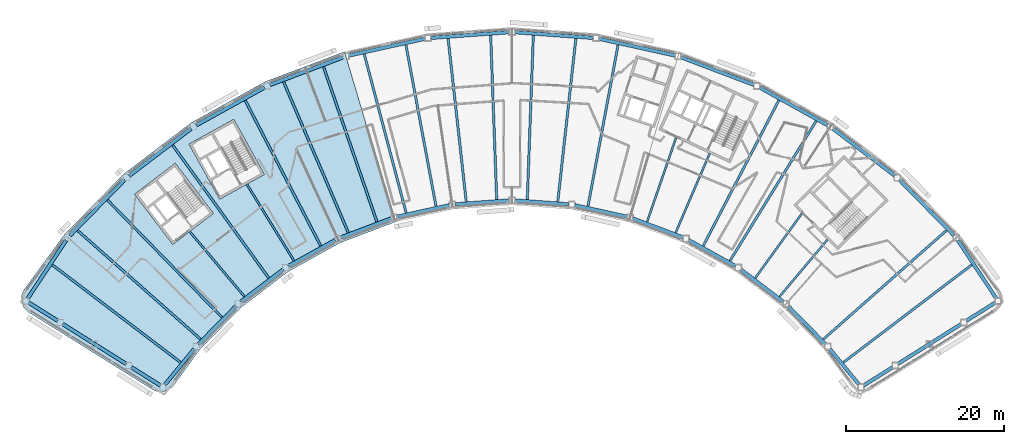
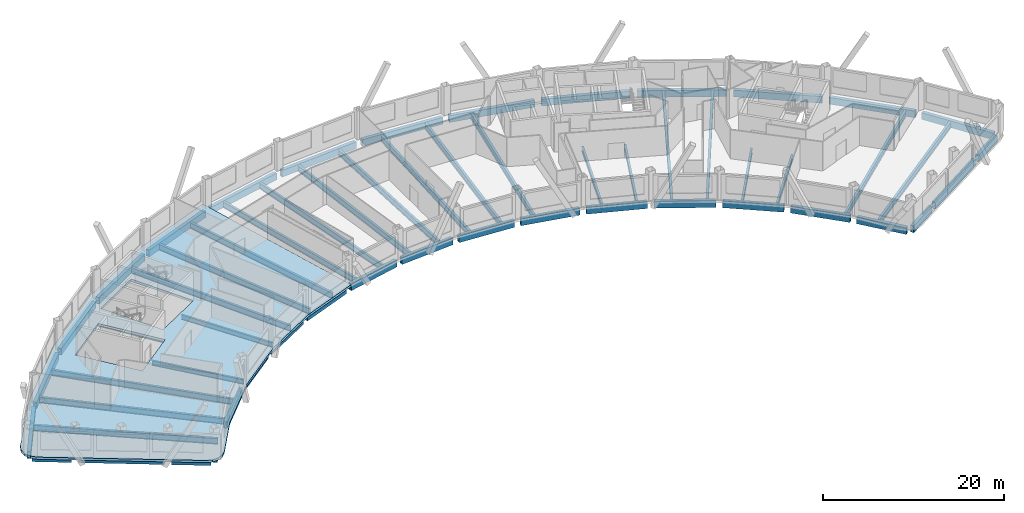
# One storey, part 3 of 13: 58 beams, 1 slab.
"""IFC4 building model written with IfcOpenShell, lengths in metres."""

from ifc_helpers import new_model, si_unit, direction, frame, origin, origin_2d, place, context, subcontext, project, spatial, polyline, hollow_rectangle, i_section, outline, extrude, material, layer, layer_set, material_profile, profile_set, type_object, element, save


model = new_model("IFC4")

# Units and contexts
model_context = context("Model", 3, precision=1e-05, world=origin(), true_north=direction((0.0, 1.0)))
body_context = subcontext(model_context, "Body", "Model", "MODEL_VIEW")
ifc_project = project(units=[si_unit("LENGTHUNIT", "METRE"), si_unit("AREAUNIT", "SQUARE_METRE"), si_unit("VOLUMEUNIT", "CUBIC_METRE"), si_unit("PLANEANGLEUNIT", "RADIAN"), si_unit("MASSUNIT", "GRAM", prefix="KILO")], contexts=[model_context])

# Site, building, storey
site_placement = place(None, origin())
site = spatial("IfcSite", under=ifc_project, at=site_placement, CompositionType="ELEMENT")
building_placement = place(site_placement, origin())
building = spatial("IfcBuilding", under=site, at=building_placement, Name="Tuul Gate Civic Tower", CompositionType="ELEMENT")
storey_placement = place(building_placement, frame((0.0, 0.0, 294.199951171875)))
storey = spatial("IfcBuildingStorey", under=building, at=storey_placement, Name="Level 66", CompositionType="ELEMENT", Elevation=294.199951171875)

# Beams
ifc_material_1 = material(Name="Steel S355", Category="steel")
ifc_material_profile_1 = material_profile(ifc_material_1, i_section(OverallWidth=0.25, OverallDepth=0.64990234375, WebThickness=0.011962890625, FlangeThickness=0.02001953125, at=origin_2d()), Name="PG650x250x12x20")
ifc_profile_set_1 = profile_set([ifc_material_profile_1], Name="Steel S355")
beam_type_1 = type_object("IfcBeamType", Name="STR-FLOOR BEAM-PG650x250x12x20", PredefinedType="BEAM", material=ifc_profile_set_1)
beam_1_placement = place(storey_placement, frame((40.746337890625, -24.341064453125, -0.625), z_axis=(0.644127784209, 0.764917902529, 0.0), x_axis=(-0.764917902529, 0.644127784209, 0.0)))
element("IfcBeam", 1, at=beam_1_placement, inside=storey, type_object=beam_type_1, Name="Floor beam", PredefinedType="BEAM", context=body_context, shape_type="SweptSolid", body=[
    extrude(i_section(OverallWidth=0.25, OverallDepth=0.64990234375, WebThickness=0.011962890625, FlangeThickness=0.02001953125, at=origin_2d()), origin(), (0.0, 0.0, 1.0), 9.443115234375),
])
beam_2_placement = place(storey_placement, frame((37.658203125, -21.989501953125, -0.625), z_axis=(0.586069159859, 0.810261031929, 0.0), x_axis=(-0.810261031929, 0.586069159859, 0.0)))
element("IfcBeam", 2, at=beam_2_placement, inside=storey, type_object=beam_type_1, Name="Floor beam", PredefinedType="BEAM", context=body_context, shape_type="SweptSolid", body=[
    extrude(i_section(OverallWidth=0.25, OverallDepth=0.64990234375, WebThickness=0.011962890625, FlangeThickness=0.02001953125, at=origin_2d()), origin(), (0.0, 0.0, 1.0), 10.103515625),
])
beam_3_placement = place(storey_placement, frame((27.564697265625, -16.229248046875, -0.625), z_axis=(0.394202182467, 0.919023742532, 0.0), x_axis=(-0.919023742532, 0.394202182467, 0.0)))
element("IfcBeam", 3, at=beam_3_placement, inside=storey, type_object=beam_type_1, Name="Floor beam", PredefinedType="BEAM", context=body_context, shape_type="SweptSolid", body=[
    extrude(i_section(OverallWidth=0.25, OverallDepth=0.64990234375, WebThickness=0.011962890625, FlangeThickness=0.02001953125, at=origin_2d()), origin(), (0.0, 0.0, 1.0), 10.93603515625),
])
beam_4_placement = place(storey_placement, frame((23.934326171875, -14.856689453125, -0.625), z_axis=(0.325475834629, 0.945550358824, 0.0), x_axis=(-0.945550358824, 0.325475834629, 0.0)))
element("IfcBeam", 4, at=beam_4_placement, inside=storey, type_object=beam_type_1, Name="Floor beam", PredefinedType="BEAM", context=body_context, shape_type="SweptSolid", body=[
    extrude(i_section(OverallWidth=0.25, OverallDepth=0.64990234375, WebThickness=0.011962890625, FlangeThickness=0.02001953125, at=origin_2d()), origin(), (0.0, 0.0, 1.0), 11.282958984375),
])
beam_5_placement = place(storey_placement, frame((-20.8779296875, -19.798828125, -0.625), z_axis=(-0.524859776805, 0.851188706864, 0.0), x_axis=(-0.851188706864, -0.524859776805, 0.0)))
element("IfcBeam", 5, at=beam_5_placement, inside=storey, type_object=beam_type_1, Name="Floor beam", PredefinedType="BEAM", context=body_context, shape_type="SweptSolid", body=[
    extrude(i_section(OverallWidth=0.25, OverallDepth=0.64990234375, WebThickness=0.011962890625, FlangeThickness=0.02001953125, at=origin_2d()), origin(), (0.0, 0.0, 1.0), 11.414306640625),
])
beam_6_placement = place(storey_placement, frame((-27.170166015625, -24.341064453125, -0.625), z_axis=(-0.644139926709, 0.764907677318, 0.0), x_axis=(-0.764907677318, -0.644139926709, 0.0)))
element("IfcBeam", 6, at=beam_6_placement, inside=storey, type_object=beam_type_1, Name="Floor beam", PredefinedType="BEAM", context=body_context, shape_type="SweptSolid", body=[
    extrude(i_section(OverallWidth=0.25, OverallDepth=0.64990234375, WebThickness=0.011962890625, FlangeThickness=0.02001953125, at=origin_2d()), origin(), (0.0, 0.0, 1.0), 10.7890625),
])
ifc_material_2 = material(Name="Steel S355", Category="steel")
ifc_material_profile_2 = material_profile(ifc_material_2, i_section(OverallWidth=0.300048828125, OverallDepth=0.800048828125, WebThickness=0.013916015625, FlangeThickness=0.02490234375, at=origin_2d()), Name="PG800x300x14x25")
ifc_profile_set_2 = profile_set([ifc_material_profile_2], Name="Steel S355")
beam_type_2 = type_object("IfcBeamType", Name="STR-FLOOR BEAM-PG800x300x14x25", PredefinedType="BEAM", material=ifc_profile_set_2)
beam_7_placement = place(storey_placement, frame((48.8427734375, -32.703857421875, -0.699951171875), z_axis=(0.796156676215, 0.60509052787, 0.0), x_axis=(-0.60509052787, 0.796156676215, 0.0)))
element("IfcBeam", 7, at=beam_7_placement, inside=storey, type_object=beam_type_2, Name="Floor beam", PredefinedType="BEAM", context=body_context, shape_type="SweptSolid", body=[
    extrude(i_section(OverallWidth=0.300048828125, OverallDepth=0.800048828125, WebThickness=0.013916015625, FlangeThickness=0.02490234375, at=origin_2d()), origin(), (0.0, 0.0, 1.0), 20.46240234375),
])
beam_8_placement = place(storey_placement, frame((46.3037109375, -29.759033203125, -0.699951171875), z_axis=(0.749453243269, 0.662057275584, 0.0), x_axis=(-0.662057275584, 0.749453243269, 0.0)))
element("IfcBeam", 8, at=beam_8_placement, inside=storey, type_object=beam_type_2, Name="Floor beam", PredefinedType="BEAM", context=body_context, shape_type="SweptSolid", body=[
    extrude(i_section(OverallWidth=0.300048828125, OverallDepth=0.800048828125, WebThickness=0.013916015625, FlangeThickness=0.02490234375, at=origin_2d()), origin(), (0.0, 0.0, 1.0), 20.828369140625),
])
beam_9_placement = place(storey_placement, frame((34.45458984375, -19.79833984375, -0.699951171875), z_axis=(0.524850193008, 0.851194616348, 0.0), x_axis=(-0.851194616348, 0.524850193008, 0.0)))
element("IfcBeam", 9, at=beam_9_placement, inside=storey, type_object=beam_type_2, Name="Floor beam", PredefinedType="BEAM", context=body_context, shape_type="SweptSolid", body=[
    extrude(i_section(OverallWidth=0.300048828125, OverallDepth=0.800048828125, WebThickness=0.013916015625, FlangeThickness=0.02490234375, at=origin_2d()), origin(), (0.0, 0.0, 1.0), 20.822021484375),
])
beam_10_placement = place(storey_placement, frame((31.0595703125, -17.9169921875, -0.699951171875), z_axis=(0.460777059353, 0.887515916237, 0.0), x_axis=(-0.887515916237, 0.460777059353, 0.0)))
element("IfcBeam", 10, at=beam_10_placement, inside=storey, type_object=beam_type_2, Name="Floor beam", PredefinedType="BEAM", context=body_context, shape_type="SweptSolid", body=[
    extrude(i_section(OverallWidth=0.300048828125, OverallDepth=0.800048828125, WebThickness=0.013916015625, FlangeThickness=0.02490234375, at=origin_2d()), origin(), (0.0, 0.0, 1.0), 20.8076171875),
])
beam_11_placement = place(storey_placement, frame((16.4365234375, -12.874755859375, -0.699951171875), z_axis=(0.183145230157, 0.983085868412, 0.0), x_axis=(-0.983085868412, 0.183145230157, 0.0)))
element("IfcBeam", 11, at=beam_11_placement, inside=storey, type_object=beam_type_2, Name="Floor beam", PredefinedType="BEAM", context=body_context, shape_type="SweptSolid", body=[
    extrude(i_section(OverallWidth=0.300048828125, OverallDepth=0.800048828125, WebThickness=0.013916015625, FlangeThickness=0.02490234375, at=origin_2d()), origin(), (0.0, 0.0, 1.0), 20.8115234375),
])
beam_12_placement = place(storey_placement, frame((12.599365234375, -12.294677734375, -0.699951171875), z_axis=(0.110286058964, 0.993899886909, 0.0), x_axis=(-0.993899886909, 0.110286058964, 0.0)))
element("IfcBeam", 12, at=beam_12_placement, inside=storey, type_object=beam_type_2, Name="Floor beam", PredefinedType="BEAM", context=body_context, shape_type="SweptSolid", body=[
    extrude(i_section(OverallWidth=0.300048828125, OverallDepth=0.800048828125, WebThickness=0.013916015625, FlangeThickness=0.02490234375, at=origin_2d()), origin(), (0.0, 0.0, 1.0), 20.8154296875),
])
beam_13_placement = place(storey_placement, frame((8.728515625, -12.01416015625, -0.699951171875), z_axis=(0.036832047042, 0.999321469954, 0.0), x_axis=(-0.999321469954, 0.036832047042, 0.0)))
element("IfcBeam", 13, at=beam_13_placement, inside=storey, type_object=beam_type_2, Name="Floor beam", PredefinedType="BEAM", context=body_context, shape_type="SweptSolid", body=[
    extrude(i_section(OverallWidth=0.300048828125, OverallDepth=0.800048828125, WebThickness=0.013916015625, FlangeThickness=0.02490234375, at=origin_2d()), origin(), (0.0, 0.0, 1.0), 20.8134765625),
])
beam_14_placement = place(storey_placement, frame((4.84765625, -12.013916015625, -0.699951171875), z_axis=(-0.036820764609, 0.999321885727, 0.0), x_axis=(-0.999321885727, -0.036820764609, 0.0)))
element("IfcBeam", 14, at=beam_14_placement, inside=storey, type_object=beam_type_2, Name="Floor beam", PredefinedType="BEAM", context=body_context, shape_type="SweptSolid", body=[
    extrude(i_section(OverallWidth=0.300048828125, OverallDepth=0.800048828125, WebThickness=0.013916015625, FlangeThickness=0.02490234375, at=origin_2d()), origin(), (0.0, 0.0, 1.0), 20.813232421875),
])
beam_15_placement = place(storey_placement, frame((0.976806640625, -12.294677734375, -0.699951171875), z_axis=(-0.110287344613, 0.993899744249, 0.0), x_axis=(-0.993899744249, -0.110287344613, 0.0)))
element("IfcBeam", 15, at=beam_15_placement, inside=storey, type_object=beam_type_2, Name="Floor beam", PredefinedType="BEAM", context=body_context, shape_type="SweptSolid", body=[
    extrude(i_section(OverallWidth=0.300048828125, OverallDepth=0.800048828125, WebThickness=0.013916015625, FlangeThickness=0.02490234375, at=origin_2d()), origin(), (0.0, 0.0, 1.0), 20.815185546875),
])
beam_16_placement = place(storey_placement, frame((-2.8603515625, -12.87451171875, -0.699951171875), z_axis=(-0.183149454547, 0.983085081414, 0.0), x_axis=(-0.983085081414, -0.183149454547, 0.0)))
element("IfcBeam", 16, at=beam_16_placement, inside=storey, type_object=beam_type_2, Name="Floor beam", PredefinedType="BEAM", context=body_context, shape_type="SweptSolid", body=[
    extrude(i_section(OverallWidth=0.300048828125, OverallDepth=0.800048828125, WebThickness=0.013916015625, FlangeThickness=0.02490234375, at=origin_2d()), origin(), (0.0, 0.0, 1.0), 20.81103515625),
])
beam_17_placement = place(storey_placement, frame((-6.650390625, -13.7099609375, -0.699951171875), z_axis=(-0.255007612054, 0.966939045542, 0.0), x_axis=(-0.966939045542, -0.255007612054, 0.0)))
element("IfcBeam", 17, at=beam_17_placement, inside=storey, type_object=beam_type_2, Name="Floor beam", PredefinedType="BEAM", context=body_context, shape_type="SweptSolid", body=[
    extrude(i_section(OverallWidth=0.300048828125, OverallDepth=0.800048828125, WebThickness=0.013916015625, FlangeThickness=0.02490234375, at=origin_2d()), origin(), (0.0, 0.0, 1.0), 20.8173828125),
])
beam_18_placement = place(storey_placement, frame((-10.358154296875, -14.856689453125, -0.699951171875), z_axis=(-0.325486974479, 0.945546524209, 0.0), x_axis=(-0.945546524209, -0.325486974479, 0.0)))
element("IfcBeam", 18, at=beam_18_placement, inside=storey, type_object=beam_type_2, Name="Floor beam", PredefinedType="BEAM", context=body_context, shape_type="SweptSolid", body=[
    extrude(i_section(OverallWidth=0.300048828125, OverallDepth=0.800048828125, WebThickness=0.013916015625, FlangeThickness=0.02490234375, at=origin_2d()), origin(), (0.0, 0.0, 1.0), 20.809326171875),
])
beam_19_placement = place(storey_placement, frame((-13.98828125, -16.2294921875, -0.699951171875), z_axis=(-0.39420232802, 0.9190236801, 0.0), x_axis=(-0.9190236801, -0.39420232802, 0.0)))
element("IfcBeam", 19, at=beam_19_placement, inside=storey, type_object=beam_type_2, Name="Floor beam", PredefinedType="BEAM", context=body_context, shape_type="SweptSolid", body=[
    extrude(i_section(OverallWidth=0.300048828125, OverallDepth=0.800048828125, WebThickness=0.013916015625, FlangeThickness=0.02490234375, at=origin_2d()), origin(), (0.0, 0.0, 1.0), 20.820068359375),
])
beam_20_placement = place(storey_placement, frame((-17.483154296875, -17.917236328125, -0.699951171875), z_axis=(-0.460781503105, 0.887513609133, 0.0), x_axis=(-0.887513609133, -0.460781503105, 0.0)))
element("IfcBeam", 20, at=beam_20_placement, inside=storey, type_object=beam_type_2, Name="Floor beam", PredefinedType="BEAM", context=body_context, shape_type="SweptSolid", body=[
    extrude(i_section(OverallWidth=0.300048828125, OverallDepth=0.800048828125, WebThickness=0.013916015625, FlangeThickness=0.02490234375, at=origin_2d()), origin(), (0.0, 0.0, 1.0), 20.807861328125),
])
beam_21_placement = place(storey_placement, frame((-24.081787109375, -21.98974609375, -0.699951171875), z_axis=(-0.586080778494, 0.810252627938, 0.0), x_axis=(-0.810252627938, -0.586080778494, 0.0)))
element("IfcBeam", 21, at=beam_21_placement, inside=storey, type_object=beam_type_2, Name="Floor beam", PredefinedType="BEAM", context=body_context, shape_type="SweptSolid", body=[
    extrude(i_section(OverallWidth=0.300048828125, OverallDepth=0.800048828125, WebThickness=0.013916015625, FlangeThickness=0.02490234375, at=origin_2d()), origin(), (0.0, 0.0, 1.0), 20.8056640625),
])
beam_22_placement = place(storey_placement, frame((-30.010498046875, -26.986572265625, -0.699951171875), z_axis=(-0.698690220921, 0.71542433226, 0.0), x_axis=(-0.71542433226, -0.698690220921, 0.0)))
element("IfcBeam", 22, at=beam_22_placement, inside=storey, type_object=beam_type_2, Name="Floor beam", PredefinedType="BEAM", context=body_context, shape_type="SweptSolid", body=[
    extrude(i_section(OverallWidth=0.300048828125, OverallDepth=0.800048828125, WebThickness=0.013916015625, FlangeThickness=0.02490234375, at=origin_2d()), origin(), (0.0, 0.0, 1.0), 20.804443359375),
])
beam_23_placement = place(storey_placement, frame((-32.7275390625, -29.759033203125, -0.699951171875), z_axis=(-0.749453243269, 0.662057275584, 0.0), x_axis=(-0.662057275584, -0.749453243269, 0.0)))
element("IfcBeam", 23, at=beam_23_placement, inside=storey, type_object=beam_type_2, Name="Floor beam", PredefinedType="BEAM", context=body_context, shape_type="SweptSolid", body=[
    extrude(i_section(OverallWidth=0.300048828125, OverallDepth=0.800048828125, WebThickness=0.013916015625, FlangeThickness=0.02490234375, at=origin_2d()), origin(), (0.0, 0.0, 1.0), 20.828369140625),
])
beam_24_placement = place(storey_placement, frame((-35.266845703125, -32.703857421875, -0.699951171875), z_axis=(-0.796146559843, 0.605103838403, 0.0), x_axis=(-0.605103838403, -0.796146559843, 0.0)))
element("IfcBeam", 24, at=beam_24_placement, inside=storey, type_object=beam_type_2, Name="Floor beam", PredefinedType="BEAM", context=body_context, shape_type="SweptSolid", body=[
    extrude(i_section(OverallWidth=0.300048828125, OverallDepth=0.800048828125, WebThickness=0.013916015625, FlangeThickness=0.02490234375, at=origin_2d()), origin(), (0.0, 0.0, 1.0), 20.46240234375),
])
ifc_material_3 = material(Name="Steel S355", Category="steel")
ifc_material_profile_3 = material_profile(ifc_material_3, hollow_rectangle(XDim=0.449951171875, YDim=0.89990234375, WallThickness=0.02490234375, at=origin_2d()), Name="BOX900x450x25")
ifc_profile_set_3 = profile_set([ifc_material_profile_3], Name="Steel S355")
beam_type_3 = type_object("IfcBeamType", Name="STR-SPANDREL BEAM-BOX900x450x25", PredefinedType="BEAM", material=ifc_profile_set_3)
beam_25_placement = place(storey_placement, frame((68.23828125, -24.5634765625, -0.75), z_axis=(-0.551580803008, 0.834121464628, 0.0), x_axis=(-0.834121464628, -0.551580803008, 0.0)))
element("IfcBeam", 25, at=beam_25_placement, inside=storey, type_object=beam_type_3, Name="Spandrel beam", PredefinedType="BEAM", context=body_context, shape_type="SweptSolid", body=[
    extrude(hollow_rectangle(XDim=0.449951171875, YDim=0.89990234375, WallThickness=0.02490234375, at=origin_2d()), origin(), (0.0, 0.0, 1.0), 8.806884765625),
])
for number, where, z_axis, x_axis, name in (
    (26, (62.8798828125, -16.598388671875, -0.75), (-0.699989605726, 0.714153031132, 0.0), (-0.714153031132, -0.699989605726, 0.0), "Spandrel beam"),
    (27, (55.36767578125, -9.0166015625, -0.75), (-0.795624601098, 0.605789975261, 0.0), (-0.605789975261, -0.795624601098, 0.0), "Spandrel beam"),
):
    element("IfcBeam", number, at=place(storey_placement, frame(where, z_axis=z_axis, x_axis=x_axis)), inside=storey, type_object=beam_type_3, Name=name, PredefinedType="BEAM", context=body_context, shape_type="SweptSolid", body=[
        extrude(hollow_rectangle(XDim=0.449951171875, YDim=0.89990234375, WallThickness=0.02490234375, at=origin_2d()), origin(), (0.0, 0.0, 1.0), 9.876953125),
    ])
beam_26_placement = place(storey_placement, frame((46.841064453125, -2.59716796875, -0.75), z_axis=(-0.874638363012, 0.484775962634, 0.0), x_axis=(-0.484775962634, -0.874638363012, 0.0)))
element("IfcBeam", 28, at=beam_26_placement, inside=storey, type_object=beam_type_3, Name="Spandrel beam", PredefinedType="BEAM", context=body_context, shape_type="SweptSolid", body=[
    extrude(hollow_rectangle(XDim=0.449951171875, YDim=0.89990234375, WallThickness=0.02490234375, at=origin_2d()), origin(), (0.0, 0.0, 1.0), 9.87744140625),
])
for number, where, z_axis, x_axis, name in (
    (29, (37.477783203125, 2.526611328125, -0.75), (-0.935345282805, 0.353736062531, 0.0), (-0.353736062531, -0.935345282805, 0.0), "Spandrel beam"),
    (30, (27.474365234375, 6.248046875, -0.75), (-0.976561301206, 0.21523945964, 0.0), (-0.21523945964, -0.976561301206, 0.0), "Spandrel beam"),
):
    element("IfcBeam", number, at=place(storey_placement, frame(where, z_axis=z_axis, x_axis=x_axis)), inside=storey, type_object=beam_type_3, Name=name, PredefinedType="BEAM", context=body_context, shape_type="SweptSolid", body=[
        extrude(hollow_rectangle(XDim=0.449951171875, YDim=0.89990234375, WallThickness=0.02490234375, at=origin_2d()), origin(), (0.0, 0.0, 1.0), 9.877197265625),
    ])
beam_27_placement = place(storey_placement, frame((17.0390625, 8.489013671875, -0.75), z_axis=(-0.997383375636, 0.072293858694, 0.0), x_axis=(-0.072293858694, -0.997383375636, 0.0)))
element("IfcBeam", 31, at=beam_27_placement, inside=storey, type_object=beam_type_3, Name="Spandrel beam", PredefinedType="BEAM", context=body_context, shape_type="SweptSolid", body=[
    extrude(hollow_rectangle(XDim=0.449951171875, YDim=0.89990234375, WallThickness=0.02490234375, at=origin_2d()), origin(), (0.0, 0.0, 1.0), 9.8779296875),
])
for number, where, z_axis, x_axis, name in (
    (32, (6.38916015625, 9.203125, -0.75), (-0.997382988068, -0.072299205474, 0.0), (0.072299205474, -0.997382988068, 0.0), "Spandrel beam"),
    (33, (-4.251708984375, 8.3740234375, -0.75), (-0.976561301206, -0.21523945964, 0.0), (0.21523945964, -0.976561301206, 0.0), "Spandrel beam"),
):
    element("IfcBeam", number, at=place(storey_placement, frame(where, z_axis=z_axis, x_axis=x_axis)), inside=storey, type_object=beam_type_3, Name=name, PredefinedType="BEAM", context=body_context, shape_type="SweptSolid", body=[
        extrude(hollow_rectangle(XDim=0.449951171875, YDim=0.89990234375, WallThickness=0.02490234375, at=origin_2d()), origin(), (0.0, 0.0, 1.0), 9.877197265625),
    ])
beam_28_placement = place(storey_placement, frame((-14.662109375, 6.0205078125, -0.75), z_axis=(-0.935352568022, -0.353716798434, 0.0), x_axis=(0.353716798434, -0.935352568022, 0.0)))
element("IfcBeam", 34, at=beam_28_placement, inside=storey, type_object=beam_type_3, Name="Spandrel beam", PredefinedType="BEAM", context=body_context, shape_type="SweptSolid", body=[
    extrude(hollow_rectangle(XDim=0.449951171875, YDim=0.89990234375, WallThickness=0.02490234375, at=origin_2d()), origin(), (0.0, 0.0, 1.0), 9.87841796875),
])
beam_29_placement = place(storey_placement, frame((-24.625732421875, 2.191162109375, -0.75), z_axis=(-0.874620935206, -0.484807404748, 0.0), x_axis=(0.484807404748, -0.874620935206, 0.0)))
element("IfcBeam", 35, at=beam_29_placement, inside=storey, type_object=beam_type_3, Name="Spandrel beam", PredefinedType="BEAM", context=body_context, shape_type="SweptSolid", body=[
    extrude(hollow_rectangle(XDim=0.449951171875, YDim=0.89990234375, WallThickness=0.02490234375, at=origin_2d()), origin(), (0.0, 0.0, 1.0), 9.876708984375),
])
beam_30_placement = place(storey_placement, frame((-33.932373046875, -3.033203125, -0.75), z_axis=(-0.795624601098, -0.605789975261, 0.0), x_axis=(0.605789975261, -0.795624601098, 0.0)))
element("IfcBeam", 36, at=beam_30_placement, inside=storey, type_object=beam_type_3, Name="Spandrel beam", PredefinedType="BEAM", context=body_context, shape_type="SweptSolid", body=[
    extrude(hollow_rectangle(XDim=0.449951171875, YDim=0.89990234375, WallThickness=0.02490234375, at=origin_2d()), origin(), (0.0, 0.0, 1.0), 9.876953125),
])
beam_31_placement = place(storey_placement, frame((-42.388916015625, -9.544677734375, -0.75), z_axis=(-0.700052630296, -0.714091251042, 0.0), x_axis=(0.714091251042, -0.700052630296, 0.0)))
element("IfcBeam", 37, at=beam_31_placement, inside=storey, type_object=beam_type_3, Name="Spandrel beam", PredefinedType="BEAM", context=body_context, shape_type="SweptSolid", body=[
    extrude(hollow_rectangle(XDim=0.449951171875, YDim=0.89990234375, WallThickness=0.02490234375, at=origin_2d()), origin(), (0.0, 0.0, 1.0), 9.8779296875),
])
beam_32_placement = place(storey_placement, frame((-49.8046875, -17.217529296875, -0.75), z_axis=(-0.551580803008, -0.834121464628, 0.0), x_axis=(0.834121464628, -0.551580803008, 0.0)))
element("IfcBeam", 38, at=beam_32_placement, inside=storey, type_object=beam_type_3, Name="Spandrel beam", PredefinedType="BEAM", context=body_context, shape_type="SweptSolid", body=[
    extrude(hollow_rectangle(XDim=0.449951171875, YDim=0.89990234375, WallThickness=0.02490234375, at=origin_2d()), origin(), (0.0, 0.0, 1.0), 8.806884765625),
])
beam_33_placement = place(storey_placement, frame((-54.54443359375, -25.110107421875, -0.75), z_axis=(0.846271424817, -0.532751983138, 0.0), x_axis=(0.532751983138, 0.846271424817, 0.0)))
element("IfcBeam", 39, at=beam_33_placement, inside=storey, type_object=beam_type_3, Name="Spandrel beam", PredefinedType="BEAM", context=body_context, shape_type="SweptSolid", body=[
    extrude(hollow_rectangle(XDim=0.449951171875, YDim=0.89990234375, WallThickness=0.02490234375, at=origin_2d()), origin(), (0.0, 0.0, 1.0), 4.33203125),
])
beam_34_placement = place(storey_placement, frame((-50.201416015625, -27.84423828125, -0.75), z_axis=(0.84620354352, -0.532859796695, 0.0), x_axis=(0.532859796695, 0.84620354352, 0.0)))
element("IfcBeam", 40, at=beam_34_placement, inside=storey, type_object=beam_type_3, Name="Spandrel beam", PredefinedType="BEAM", context=body_context, shape_type="SweptSolid", body=[
    extrude(hollow_rectangle(XDim=0.449951171875, YDim=0.89990234375, WallThickness=0.02490234375, at=origin_2d()), origin(), (0.0, 0.0, 1.0), 9.463623046875),
])
beam_35_placement = place(storey_placement, frame((-41.5166015625, -33.313232421875, -0.75), z_axis=(0.84613117079, -0.532974710298, 0.0), x_axis=(0.532974710298, 0.84613117079, 0.0)))
element("IfcBeam", 41, at=beam_35_placement, inside=storey, type_object=beam_type_3, Name="Spandrel beam", PredefinedType="BEAM", context=body_context, shape_type="SweptSolid", body=[
    extrude(hollow_rectangle(XDim=0.449951171875, YDim=0.89990234375, WallThickness=0.02490234375, at=origin_2d()), origin(), (0.0, 0.0, 1.0), 4.33154296875),
])
beam_36_placement = place(storey_placement, frame((-37.25927734375, -35.52587890625, -0.75), z_axis=(0.63438437654, 0.773017763574, 0.0), x_axis=(-0.773017763574, 0.63438437654, 0.0)))
element("IfcBeam", 42, at=beam_36_placement, inside=storey, type_object=beam_type_3, Name="Spandrel beam", PredefinedType="BEAM", context=body_context, shape_type="SweptSolid", body=[
    extrude(hollow_rectangle(XDim=0.449951171875, YDim=0.89990234375, WallThickness=0.02490234375, at=origin_2d()), origin(), (0.0, 0.0, 1.0), 5.85205078125),
])
beam_37_placement = place(storey_placement, frame((-33.012939453125, -30.4072265625, -0.75), z_axis=(0.69995351943, 0.71418839996, 0.0), x_axis=(-0.71418839996, 0.69995351943, 0.0)))
element("IfcBeam", 43, at=beam_37_placement, inside=storey, type_object=beam_type_3, Name="Spandrel beam", PredefinedType="BEAM", context=body_context, shape_type="SweptSolid", body=[
    extrude(hollow_rectangle(XDim=0.449951171875, YDim=0.89990234375, WallThickness=0.02490234375, at=origin_2d()), origin(), (0.0, 0.0, 1.0), 6.791748046875),
])
beam_38_placement = place(storey_placement, frame((-27.66064453125, -25.02880859375, -0.75), z_axis=(0.795648671747, 0.605758360361, 0.0), x_axis=(-0.605758360361, 0.795648671747, 0.0)))
element("IfcBeam", 44, at=beam_38_placement, inside=storey, type_object=beam_type_3, Name="Spandrel beam", PredefinedType="BEAM", context=body_context, shape_type="SweptSolid", body=[
    extrude(hollow_rectangle(XDim=0.449951171875, YDim=0.89990234375, WallThickness=0.02490234375, at=origin_2d()), origin(), (0.0, 0.0, 1.0), 6.792236328125),
])
beam_39_placement = place(storey_placement, frame((-21.588134765625, -20.47802734375, -0.75), z_axis=(0.87464856826, 0.484757549751, 0.0), x_axis=(-0.484757549751, 0.87464856826, 0.0)))
element("IfcBeam", 45, at=beam_39_placement, inside=storey, type_object=beam_type_3, Name="Spandrel beam", PredefinedType="BEAM", context=body_context, shape_type="SweptSolid", body=[
    extrude(hollow_rectangle(XDim=0.449951171875, YDim=0.89990234375, WallThickness=0.02490234375, at=origin_2d()), origin(), (0.0, 0.0, 1.0), 6.79150390625),
])
beam_40_placement = place(storey_placement, frame((-14.923828125, -16.8505859375, -0.75), z_axis=(0.935348956807, 0.35372634762, 0.0), x_axis=(-0.35372634762, 0.935348956807, 0.0)))
element("IfcBeam", 46, at=beam_40_placement, inside=storey, type_object=beam_type_3, Name="Spandrel beam", PredefinedType="BEAM", context=body_context, shape_type="SweptSolid", body=[
    extrude(hollow_rectangle(XDim=0.449951171875, YDim=0.89990234375, WallThickness=0.02490234375, at=origin_2d()), origin(), (0.0, 0.0, 1.0), 6.790771484375),
])
for number, where, z_axis, x_axis, name in (
    (47, (-7.807373046875, -14.220947265625, -0.75), (0.976561119915, 0.215240282172, 0.0), (-0.215240282172, 0.976561119915, 0.0), "Spandrel beam"),
    (48, (-0.385009765625, -12.64404296875, -0.75), (0.997381302407, 0.072322455777, 0.0), (-0.072322455777, 0.997381302407, 0.0), "Spandrel beam"),
):
    element("IfcBeam", number, at=place(storey_placement, frame(where, z_axis=z_axis, x_axis=x_axis)), inside=storey, type_object=beam_type_3, Name=name, PredefinedType="BEAM", context=body_context, shape_type="SweptSolid", body=[
        extrude(hollow_rectangle(XDim=0.449951171875, YDim=0.89990234375, WallThickness=0.02490234375, at=origin_2d()), origin(), (0.0, 0.0, 1.0), 6.7919921875),
    ])
for number, where, z_axis, x_axis, name in (
    (49, (7.18701171875, -12.15283203125, -0.75), (0.997381114382, -0.072325048733, 0.0), (0.072325048733, 0.997381114382, 0.0), "Spandrel beam"),
    (50, (14.750732421875, -12.759033203125, -0.75), (0.976559454542, -0.215247837958, 0.0), (0.215247837958, 0.976559454542, 0.0), "Spandrel beam"),
):
    element("IfcBeam", number, at=place(storey_placement, frame(where, z_axis=z_axis, x_axis=x_axis)), inside=storey, type_object=beam_type_3, Name=name, PredefinedType="BEAM", context=body_context, shape_type="SweptSolid", body=[
        extrude(hollow_rectangle(XDim=0.449951171875, YDim=0.89990234375, WallThickness=0.02490234375, at=origin_2d()), origin(), (0.0, 0.0, 1.0), 6.791748046875),
    ])
for number, where, z_axis, x_axis, name in (
    (51, (22.148193359375, -14.448486328125, -0.75), (0.935362449754, -0.353690666531, 0.0), (0.353690666531, 0.935362449754, 0.0), "Spandrel beam"),
    (52, (29.224853515625, -17.185791015625, -0.75), (0.87464856826, -0.484757549751, 0.0), (0.484757549751, 0.87464856826, 0.0), "Spandrel beam"),
    (53, (35.833251953125, -20.914306640625, -0.75), (0.795626424775, -0.605787580098, 0.0), (0.605787580098, 0.795626424775, 0.0), "Spandrel beam"),
):
    element("IfcBeam", number, at=place(storey_placement, frame(where, z_axis=z_axis, x_axis=x_axis)), inside=storey, type_object=beam_type_3, Name=name, PredefinedType="BEAM", context=body_context, shape_type="SweptSolid", body=[
        extrude(hollow_rectangle(XDim=0.449951171875, YDim=0.89990234375, WallThickness=0.02490234375, at=origin_2d()), origin(), (0.0, 0.0, 1.0), 6.79150390625),
    ])
beam_41_placement = place(storey_placement, frame((41.8349609375, -25.556640625, -0.75), z_axis=(0.699971853877, -0.714170430485, 0.0), x_axis=(0.714170430485, 0.699971853877, 0.0)))
element("IfcBeam", 54, at=beam_41_placement, inside=storey, type_object=beam_type_3, Name="Spandrel beam", PredefinedType="BEAM", context=body_context, shape_type="SweptSolid", body=[
    extrude(hollow_rectangle(XDim=0.449951171875, YDim=0.89990234375, WallThickness=0.02490234375, at=origin_2d()), origin(), (0.0, 0.0, 1.0), 6.7919921875),
])
beam_42_placement = place(storey_placement, frame((47.122802734375, -31.002197265625, -0.75), z_axis=(0.63438437654, -0.773017763574, 0.0), x_axis=(0.773017763574, 0.63438437654, 0.0)))
element("IfcBeam", 55, at=beam_42_placement, inside=storey, type_object=beam_type_3, Name="Spandrel beam", PredefinedType="BEAM", context=body_context, shape_type="SweptSolid", body=[
    extrude(hollow_rectangle(XDim=0.449951171875, YDim=0.89990234375, WallThickness=0.02490234375, at=origin_2d()), origin(), (0.0, 0.0, 1.0), 5.85205078125),
])
beam_43_placement = place(storey_placement, frame((51.427490234375, -35.621826171875, -0.75), z_axis=(0.846195195567, 0.532873053362, 0.0), x_axis=(-0.532873053362, 0.846195195567, 0.0)))
element("IfcBeam", 56, at=beam_43_placement, inside=storey, type_object=beam_type_3, Name="Spandrel beam", PredefinedType="BEAM", context=body_context, shape_type="SweptSolid", body=[
    extrude(hollow_rectangle(XDim=0.449951171875, YDim=0.89990234375, WallThickness=0.02490234375, at=origin_2d()), origin(), (0.0, 0.0, 1.0), 4.332275390625),
])
beam_44_placement = place(storey_placement, frame((55.7705078125, -32.886962890625, -0.75), z_axis=(0.84620354352, 0.532859796695, 0.0), x_axis=(-0.532859796695, 0.84620354352, 0.0)))
element("IfcBeam", 57, at=beam_44_placement, inside=storey, type_object=beam_type_3, Name="Spandrel beam", PredefinedType="BEAM", context=body_context, shape_type="SweptSolid", body=[
    extrude(hollow_rectangle(XDim=0.449951171875, YDim=0.89990234375, WallThickness=0.02490234375, at=origin_2d()), origin(), (0.0, 0.0, 1.0), 9.463623046875),
])
beam_45_placement = place(storey_placement, frame((64.45556640625, -27.41796875, -0.75), z_axis=(0.846207423362, 0.532853635295, 0.0), x_axis=(-0.532853635295, 0.846207423362, 0.0)))
element("IfcBeam", 58, at=beam_45_placement, inside=storey, type_object=beam_type_3, Name="Spandrel beam", PredefinedType="BEAM", context=body_context, shape_type="SweptSolid", body=[
    extrude(hollow_rectangle(XDim=0.449951171875, YDim=0.89990234375, WallThickness=0.02490234375, at=origin_2d()), origin(), (0.0, 0.0, 1.0), 4.3310546875),
])

# Slab
ifc_material_4 = material(Name="Concrete C35/45", Category="concrete")
ifc_layer = layer(ifc_material_4, 0.300048828125)
ifc_layer_set = layer_set([ifc_layer], Name="Concrete C35/45")
slab_type = type_object("IfcSlabType", Name="STR-FLOOR-SLAB-300", PredefinedType="FLOOR", material=ifc_layer_set)
slab_placement = place(storey_placement, frame((0.0, 0.0, -0.300048828125)))
element("IfcSlab", 59, at=slab_placement, inside=storey, type_object=slab_type, Name="Level 66/slab/W", PredefinedType="FLOOR", context=body_context, shape_type="SweptSolid", body=[
    extrude(outline(polyline([(-8.02587890625, -14.883056640625), (-14.4599609375, 6.739013671875), (-24.528076171875, 2.930908203125), (-33.943115234375, -2.287109375), (-42.507080078125, -8.80810546875), (-50.04296875, -16.4951171875), (-55.123046875, -23.451904296875), (-55.4599609375, -24.195068359375), (-55.471923828125, -25.010009765625), (-55.156982421875, -25.762939453125), (-54.568115234375, -26.326904296875), (-38.837890625, -36.156005859375), (-38.14404296875, -36.427001953125), (-37.39892578125, -36.424072265625), (-36.70703125, -36.14892578125), (-36.1630859375, -35.639892578125), (-32.833984375, -31.08203125), (-27.580078125, -25.721923828125), (-21.60888671875, -21.176025390625), (-15.0458984375, -17.5380859375), (-8.02587890625, -14.883056640625)]), holes=[polyline([(-31.10009765625, -13.7890625), (-36.27197265625, -17.72705078125), (-41.117919921875, -11.362060546875), (-35.946044921875, -7.424072265625), (-31.10009765625, -13.7890625)]), polyline([(-24.638916015625, -8.846923828125), (-30.323974609375, -11.998046875), (-34.201904296875, -5.0009765625), (-28.51708984375, -1.85009765625), (-24.638916015625, -8.846923828125)])]), origin(), (0.0, 0.0, 1.0), 0.300048828125),
])

save(model, "model.ifc")
